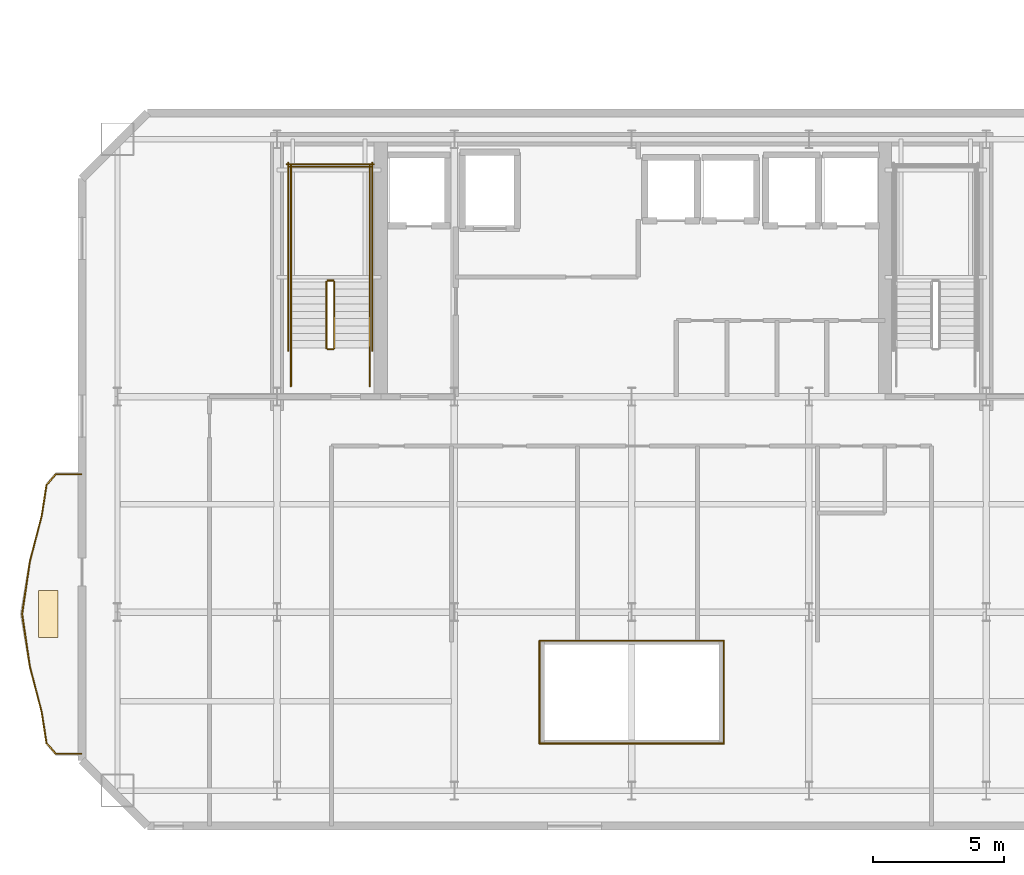
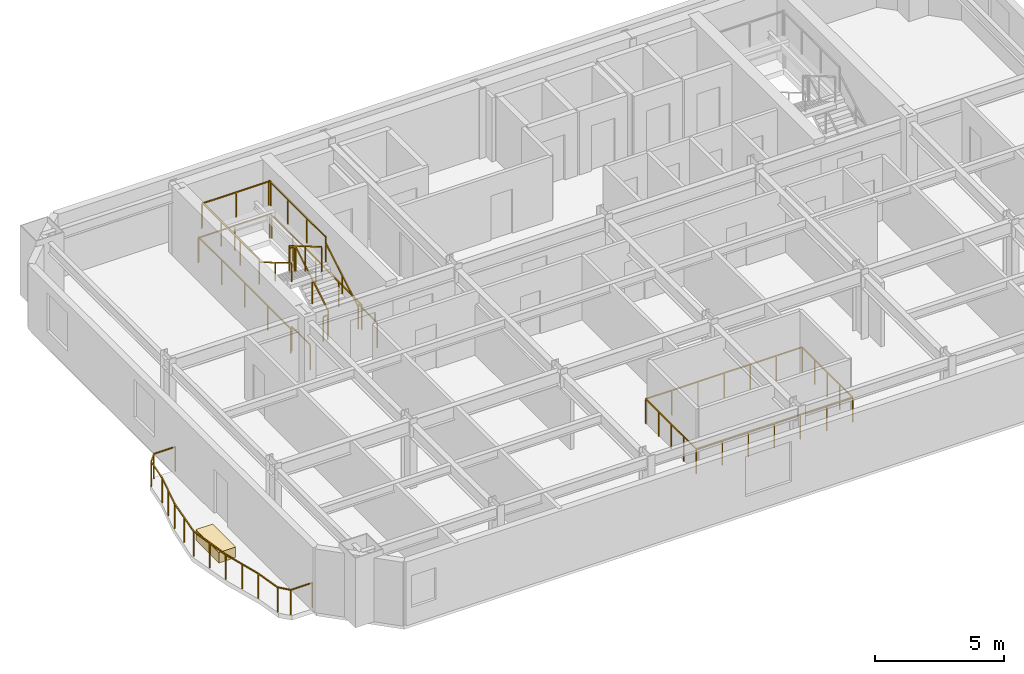
# One storey, part 10 of 14: 28 railings, 1 covering.
"""IFC4 building model written with IfcOpenShell, lengths in metres."""

from ifc_helpers import new_model, si_unit, direction, frame, origin, origin_2d, place, context, subcontext, project, spatial, rectangle, extrude, material, layer, layer_set, type_object, element, save


model = new_model("IFC4")

# Units and contexts
model_context = context("Model", 3, precision=1e-05, world=origin(), true_north=direction((0.0, 1.0)))
body_context = subcontext(model_context, "Body", "Model", "MODEL_VIEW")
ifc_project = project(units=[si_unit("LENGTHUNIT", "METRE"), si_unit("AREAUNIT", "SQUARE_METRE"), si_unit("VOLUMEUNIT", "CUBIC_METRE"), si_unit("PLANEANGLEUNIT", "RADIAN"), si_unit("MASSUNIT", "GRAM", prefix="KILO")], contexts=[model_context])

# Site, building, storey
site_placement = place(None, origin())
site = spatial("IfcSite", under=ifc_project, at=site_placement, CompositionType="ELEMENT")
building_placement = place(site_placement, origin())
building = spatial("IfcBuilding", under=site, at=building_placement, Name="Haevon Station Towers", CompositionType="ELEMENT")
storey_placement = place(building_placement, frame((0.0, 0.0, 169.199951171875)))
storey = spatial("IfcBuildingStorey", under=building, at=storey_placement, Name="L46", CompositionType="ELEMENT", Elevation=169.199951171875)

# Railings
ifc_material_1 = material(Name="Steel S355", Category="steel")
railing_type_1 = type_object("IfcRailingType", Name="BAL-ATR1200", PredefinedType="BALUSTRADE", material=ifc_material_1)
railing_1_placement = place(storey_placement, frame((33.995361328125, 24.991455078125, 0.0)))
element("IfcRailing", 1, at=railing_1_placement, inside=storey, type_object=railing_type_1, Name="L46 Atrium Void Balustrade 1", PredefinedType="BALUSTRADE", context=body_context, shape_type="SweptSolid", body=[
    extrude(rectangle(XDim=0.048095703125, YDim=0.048095703125, at=origin_2d()), frame((0.0, 0.0, 1.17578125), z_axis=(1.0, 0.0, 0.0), x_axis=(0.0, 1.0, 0.0)), (0.0, 0.0, 1.0), 7.00927734375),
    extrude(rectangle(XDim=0.0419921875, YDim=0.0419921875, at=origin_2d()), origin(), (0.0, 0.0, 1.0), 1.15185546875),
    extrude(rectangle(XDim=0.0419921875, YDim=0.0419921875, at=origin_2d()), frame((1.168212890625, 0.0, 0.0)), (0.0, 0.0, 1.0), 1.15185546875),
    extrude(rectangle(XDim=0.0419921875, YDim=0.0419921875, at=origin_2d()), frame((2.33642578125, 0.0, 0.0)), (0.0, 0.0, 1.0), 1.15185546875),
    extrude(rectangle(XDim=0.0419921875, YDim=0.0419921875, at=origin_2d()), frame((3.504638671875, 0.0, 0.0)), (0.0, 0.0, 1.0), 1.15185546875),
    extrude(rectangle(XDim=0.0419921875, YDim=0.0419921875, at=origin_2d()), frame((4.6728515625, 0.0, 0.0)), (0.0, 0.0, 1.0), 1.15185546875),
    extrude(rectangle(XDim=0.0419921875, YDim=0.0419921875, at=origin_2d()), frame((5.841064453125, 0.0, 0.0)), (0.0, 0.0, 1.0), 1.15185546875),
    extrude(rectangle(XDim=0.0419921875, YDim=0.0419921875, at=origin_2d()), frame((7.00927734375, 0.0, 0.0)), (0.0, 0.0, 1.0), 1.15185546875),
])
railing_2_placement = place(storey_placement, frame((41.004638671875, 24.991455078125, 0.0)))
element("IfcRailing", 2, at=railing_2_placement, inside=storey, type_object=railing_type_1, Name="L46 Atrium Void Balustrade 2", PredefinedType="BALUSTRADE", context=body_context, shape_type="SweptSolid", body=[
    extrude(rectangle(XDim=0.048095703125, YDim=0.048095703125, at=origin_2d()), frame((0.0, 0.0, 1.17578125), z_axis=(0.0, 1.0, 0.0), x_axis=(-1.0, 0.0, 0.0)), (0.0, 0.0, 1.0), 3.9169921875),
    extrude(rectangle(XDim=0.0419921875, YDim=0.0419921875, at=origin_2d()), origin(), (0.0, 0.0, 1.0), 1.15185546875),
    extrude(rectangle(XDim=0.0419921875, YDim=0.0419921875, at=origin_2d()), frame((0.0, 0.979248046875, 0.0)), (0.0, 0.0, 1.0), 1.15185546875),
    extrude(rectangle(XDim=0.0419921875, YDim=0.0419921875, at=origin_2d()), frame((0.0, 1.95849609375, 0.0)), (0.0, 0.0, 1.0), 1.15185546875),
    extrude(rectangle(XDim=0.0419921875, YDim=0.0419921875, at=origin_2d()), frame((0.0, 2.937744140625, 0.0)), (0.0, 0.0, 1.0), 1.15185546875),
    extrude(rectangle(XDim=0.0419921875, YDim=0.0419921875, at=origin_2d()), frame((0.0, 3.9169921875, 0.0)), (0.0, 0.0, 1.0), 1.15185546875),
])
railing_3_placement = place(storey_placement, frame((41.004638671875, 28.908447265625, 0.0)))
element("IfcRailing", 3, at=railing_3_placement, inside=storey, type_object=railing_type_1, Name="L46 Atrium Void Balustrade 3", PredefinedType="BALUSTRADE", context=body_context, shape_type="SweptSolid", body=[
    extrude(rectangle(XDim=0.048095703125, YDim=0.048095703125, at=origin_2d()), frame((0.0, 0.0, 1.17578125), z_axis=(-1.0, 0.0, 0.0), x_axis=(0.0, -1.0, 0.0)), (0.0, 0.0, 1.0), 7.00927734375),
    extrude(rectangle(XDim=0.0419921875, YDim=0.0419921875, at=origin_2d()), origin(), (0.0, 0.0, 1.0), 1.15185546875),
    extrude(rectangle(XDim=0.0419921875, YDim=0.0419921875, at=origin_2d()), frame((-1.168212890625, 0.0, 0.0)), (0.0, 0.0, 1.0), 1.15185546875),
    extrude(rectangle(XDim=0.0419921875, YDim=0.0419921875, at=origin_2d()), frame((-2.33642578125, 0.0, 0.0)), (0.0, 0.0, 1.0), 1.15185546875),
    extrude(rectangle(XDim=0.0419921875, YDim=0.0419921875, at=origin_2d()), frame((-3.504638671875, 0.0, 0.0)), (0.0, 0.0, 1.0), 1.15185546875),
    extrude(rectangle(XDim=0.0419921875, YDim=0.0419921875, at=origin_2d()), frame((-4.6728515625, 0.0, 0.0)), (0.0, 0.0, 1.0), 1.15185546875),
    extrude(rectangle(XDim=0.0419921875, YDim=0.0419921875, at=origin_2d()), frame((-5.841064453125, 0.0, 0.0)), (0.0, 0.0, 1.0), 1.15185546875),
    extrude(rectangle(XDim=0.0419921875, YDim=0.0419921875, at=origin_2d()), frame((-7.00927734375, 0.0, 0.0)), (0.0, 0.0, 1.0), 1.15185546875),
])
railing_4_placement = place(storey_placement, frame((33.995361328125, 28.908447265625, 0.0)))
element("IfcRailing", 4, at=railing_4_placement, inside=storey, type_object=railing_type_1, Name="L46 Atrium Void Balustrade 4", PredefinedType="BALUSTRADE", context=body_context, shape_type="SweptSolid", body=[
    extrude(rectangle(XDim=0.048095703125, YDim=0.048095703125, at=origin_2d()), frame((0.0, 0.0, 1.17578125), z_axis=(0.0, -1.0, 0.0), x_axis=(1.0, 0.0, 0.0)), (0.0, 0.0, 1.0), 3.9169921875),
    extrude(rectangle(XDim=0.0419921875, YDim=0.0419921875, at=origin_2d()), origin(), (0.0, 0.0, 1.0), 1.15185546875),
    extrude(rectangle(XDim=0.0419921875, YDim=0.0419921875, at=origin_2d()), frame((0.0, -0.979248046875, 0.0)), (0.0, 0.0, 1.0), 1.15185546875),
    extrude(rectangle(XDim=0.0419921875, YDim=0.0419921875, at=origin_2d()), frame((0.0, -1.95849609375, 0.0)), (0.0, 0.0, 1.0), 1.15185546875),
    extrude(rectangle(XDim=0.0419921875, YDim=0.0419921875, at=origin_2d()), frame((0.0, -2.937744140625, 0.0)), (0.0, 0.0, 1.0), 1.15185546875),
    extrude(rectangle(XDim=0.0419921875, YDim=0.0419921875, at=origin_2d()), frame((0.0, -3.9169921875, 0.0)), (0.0, 0.0, 1.0), 1.15185546875),
])
railing_type_2 = type_object("IfcRailingType", Name="GRD-EXT1200", PredefinedType="GUARDRAIL", material=ifc_material_1)
railing_5_placement = place(storey_placement, frame((16.551513671875, 35.2470703125, 0.0)))
element("IfcRailing", 5, at=railing_5_placement, inside=storey, type_object=railing_type_2, Name="L46 Perimeter Guardrail 1", PredefinedType="GUARDRAIL", context=body_context, shape_type="SweptSolid", body=[
    extrude(rectangle(XDim=0.048095703125, YDim=0.048095703125, at=origin_2d()), frame((0.0, 0.0, 1.17578125), z_axis=(-0.999997990976, -0.002004506121, 0.0), x_axis=(0.002004506121, -0.999997990976, 0.0)), (0.0, 0.0, 1.0), 0.974365234375),
    extrude(rectangle(XDim=0.0419921875, YDim=0.0419921875, at=origin_2d()), origin(), (0.0, 0.0, 1.0), 1.15185546875),
    extrude(rectangle(XDim=0.0419921875, YDim=0.0419921875, at=origin_2d()), frame((-0.974365234375, -0.001953125, 0.0)), (0.0, 0.0, 1.0), 1.15185546875),
])
railing_6_placement = place(storey_placement, frame((15.5771484375, 35.2451171875, 0.0)))
element("IfcRailing", 6, at=railing_6_placement, inside=storey, type_object=railing_type_2, Name="L46 Perimeter Guardrail 2", PredefinedType="GUARDRAIL", context=body_context, shape_type="SweptSolid", body=[
    extrude(rectangle(XDim=0.048095703125, YDim=0.048095703125, at=origin_2d()), frame((0.0, 0.0, 1.17578125), z_axis=(-0.65275272143, -0.757571042652, 0.0), x_axis=(0.757571042652, -0.65275272143, 0.0)), (0.0, 0.0, 1.0), 0.542724609375),
    extrude(rectangle(XDim=0.0419921875, YDim=0.0419921875, at=origin_2d()), origin(), (0.0, 0.0, 1.0), 1.15185546875),
    extrude(rectangle(XDim=0.0419921875, YDim=0.0419921875, at=origin_2d()), frame((-0.354248046875, -0.4111328125, 0.0)), (0.0, 0.0, 1.0), 1.15185546875),
])
railing_7_placement = place(storey_placement, frame((15.222900390625, 34.833984375, 0.0)))
element("IfcRailing", 7, at=railing_7_placement, inside=storey, type_object=railing_type_2, Name="L46 Perimeter Guardrail 3", PredefinedType="GUARDRAIL", context=body_context, shape_type="SweptSolid", body=[
    extrude(rectangle(XDim=0.048095703125, YDim=0.048095703125, at=origin_2d()), frame((0.0, 0.0, 1.17578125), z_axis=(-0.152150136811, -0.988357392783, 0.0), x_axis=(0.988357392783, -0.152150136811, 0.0)), (0.0, 0.0, 1.0), 1.18408203125),
    extrude(rectangle(XDim=0.0419921875, YDim=0.0419921875, at=origin_2d()), origin(), (0.0, 0.0, 1.0), 1.15185546875),
    extrude(rectangle(XDim=0.0419921875, YDim=0.0419921875, at=origin_2d()), frame((-0.18017578125, -1.17041015625, 0.0)), (0.0, 0.0, 1.0), 1.15185546875),
])
railing_8_placement = place(storey_placement, frame((15.042724609375, 33.66357421875, 0.0)))
element("IfcRailing", 8, at=railing_8_placement, inside=storey, type_object=railing_type_2, Name="L46 Perimeter Guardrail 4", PredefinedType="GUARDRAIL", context=body_context, shape_type="SweptSolid", body=[
    extrude(rectangle(XDim=0.048095703125, YDim=0.048095703125, at=origin_2d()), frame((0.0, 0.0, 1.17578125), z_axis=(-0.251243717218, -0.967923857831, 0.0), x_axis=(0.967923857831, -0.251243717218, 0.0)), (0.0, 0.0, 1.0), 1.805419921875),
    extrude(rectangle(XDim=0.0419921875, YDim=0.0419921875, at=origin_2d()), origin(), (0.0, 0.0, 1.0), 1.15185546875),
    extrude(rectangle(XDim=0.0419921875, YDim=0.0419921875, at=origin_2d()), frame((-0.226806640625, -0.873779296875, 0.0)), (0.0, 0.0, 1.0), 1.15185546875),
    extrude(rectangle(XDim=0.0419921875, YDim=0.0419921875, at=origin_2d()), frame((-0.45361328125, -1.74755859375, 0.0)), (0.0, 0.0, 1.0), 1.15185546875),
])
railing_9_placement = place(storey_placement, frame((14.589111328125, 31.916015625, 0.0)))
element("IfcRailing", 9, at=railing_9_placement, inside=storey, type_object=railing_type_2, Name="L46 Perimeter Guardrail 5", PredefinedType="GUARDRAIL", context=body_context, shape_type="SweptSolid", body=[
    extrude(rectangle(XDim=0.048095703125, YDim=0.048095703125, at=origin_2d()), frame((0.0, 0.0, 1.17578125), z_axis=(-0.14558130584, -0.989346290937, 0.0), x_axis=(0.989346290937, -0.14558130584, 0.0)), (0.0, 0.0, 1.0), 2.012451171875),
    extrude(rectangle(XDim=0.0419921875, YDim=0.0419921875, at=origin_2d()), origin(), (0.0, 0.0, 1.0), 1.15185546875),
    extrude(rectangle(XDim=0.0419921875, YDim=0.0419921875, at=origin_2d()), frame((-0.146484375, -0.99560546875, 0.0)), (0.0, 0.0, 1.0), 1.15185546875),
    extrude(rectangle(XDim=0.0419921875, YDim=0.0419921875, at=origin_2d()), frame((-0.29296875, -1.990966796875, 0.0)), (0.0, 0.0, 1.0), 1.15185546875),
])
railing_10_placement = place(storey_placement, frame((14.296142578125, 29.925048828125, 0.0)))
element("IfcRailing", 10, at=railing_10_placement, inside=storey, type_object=railing_type_2, Name="L46 Perimeter Guardrail 6", PredefinedType="GUARDRAIL", context=body_context, shape_type="SweptSolid", body=[
    extrude(rectangle(XDim=0.048095703125, YDim=0.048095703125, at=origin_2d()), frame((0.0, 0.0, 1.17578125), z_axis=(0.14558130584, -0.989346290937, 0.0), x_axis=(0.989346290937, 0.14558130584, 0.0)), (0.0, 0.0, 1.0), 2.012451171875),
    extrude(rectangle(XDim=0.0419921875, YDim=0.0419921875, at=origin_2d()), origin(), (0.0, 0.0, 1.0), 1.15185546875),
    extrude(rectangle(XDim=0.0419921875, YDim=0.0419921875, at=origin_2d()), frame((0.146484375, -0.99560546875, 0.0)), (0.0, 0.0, 1.0), 1.15185546875),
    extrude(rectangle(XDim=0.0419921875, YDim=0.0419921875, at=origin_2d()), frame((0.29296875, -1.990966796875, 0.0)), (0.0, 0.0, 1.0), 1.15185546875),
])
railing_11_placement = place(storey_placement, frame((14.589111328125, 27.93408203125, 0.0)))
element("IfcRailing", 11, at=railing_11_placement, inside=storey, type_object=railing_type_2, Name="L46 Perimeter Guardrail 7", PredefinedType="GUARDRAIL", context=body_context, shape_type="SweptSolid", body=[
    extrude(rectangle(XDim=0.048095703125, YDim=0.048095703125, at=origin_2d()), frame((0.0, 0.0, 1.17578125), z_axis=(0.251243717218, -0.967923857831, 0.0), x_axis=(0.967923857831, 0.251243717218, 0.0)), (0.0, 0.0, 1.0), 1.805419921875),
    extrude(rectangle(XDim=0.0419921875, YDim=0.0419921875, at=origin_2d()), origin(), (0.0, 0.0, 1.0), 1.15185546875),
    extrude(rectangle(XDim=0.0419921875, YDim=0.0419921875, at=origin_2d()), frame((0.226806640625, -0.873779296875, 0.0)), (0.0, 0.0, 1.0), 1.15185546875),
    extrude(rectangle(XDim=0.0419921875, YDim=0.0419921875, at=origin_2d()), frame((0.45361328125, -1.74755859375, 0.0)), (0.0, 0.0, 1.0), 1.15185546875),
])
railing_12_placement = place(storey_placement, frame((15.042724609375, 26.1865234375, 0.0)))
element("IfcRailing", 12, at=railing_12_placement, inside=storey, type_object=railing_type_2, Name="L46 Perimeter Guardrail 8", PredefinedType="GUARDRAIL", context=body_context, shape_type="SweptSolid", body=[
    extrude(rectangle(XDim=0.048095703125, YDim=0.048095703125, at=origin_2d()), frame((0.0, 0.0, 1.17578125), z_axis=(0.152150136811, -0.988357392783, 0.0), x_axis=(0.988357392783, 0.152150136811, 0.0)), (0.0, 0.0, 1.0), 1.18408203125),
    extrude(rectangle(XDim=0.0419921875, YDim=0.0419921875, at=origin_2d()), origin(), (0.0, 0.0, 1.0), 1.15185546875),
    extrude(rectangle(XDim=0.0419921875, YDim=0.0419921875, at=origin_2d()), frame((0.18017578125, -1.17041015625, 0.0)), (0.0, 0.0, 1.0), 1.15185546875),
])
railing_13_placement = place(storey_placement, frame((15.222900390625, 25.01611328125, 0.0)))
element("IfcRailing", 13, at=railing_13_placement, inside=storey, type_object=railing_type_2, Name="L46 Perimeter Guardrail 9", PredefinedType="GUARDRAIL", context=body_context, shape_type="SweptSolid", body=[
    extrude(rectangle(XDim=0.048095703125, YDim=0.048095703125, at=origin_2d()), frame((0.0, 0.0, 1.17578125), z_axis=(0.65275272143, -0.757571042652, 0.0), x_axis=(0.757571042652, 0.65275272143, 0.0)), (0.0, 0.0, 1.0), 0.542724609375),
    extrude(rectangle(XDim=0.0419921875, YDim=0.0419921875, at=origin_2d()), origin(), (0.0, 0.0, 1.0), 1.15185546875),
    extrude(rectangle(XDim=0.0419921875, YDim=0.0419921875, at=origin_2d()), frame((0.354248046875, -0.4111328125, 0.0)), (0.0, 0.0, 1.0), 1.15185546875),
])
railing_14_placement = place(storey_placement, frame((15.5771484375, 24.60498046875, 0.0)))
element("IfcRailing", 14, at=railing_14_placement, inside=storey, type_object=railing_type_2, Name="L46 Perimeter Guardrail 10", PredefinedType="GUARDRAIL", context=body_context, shape_type="SweptSolid", body=[
    extrude(rectangle(XDim=0.048095703125, YDim=0.048095703125, at=origin_2d()), frame((0.0, 0.0, 1.17578125), z_axis=(0.999997457331, -0.002255068182, 0.0), x_axis=(0.002255068182, 0.999997457331, 0.0)), (0.0, 0.0, 1.0), 0.974365234375),
    extrude(rectangle(XDim=0.0419921875, YDim=0.0419921875, at=origin_2d()), origin(), (0.0, 0.0, 1.0), 1.15185546875),
    extrude(rectangle(XDim=0.0419921875, YDim=0.0419921875, at=origin_2d()), frame((0.974365234375, -0.002197265625, 0.0)), (0.0, 0.0, 1.0), 1.15185546875),
])
railing_type_3 = type_object("IfcRailingType", Name="GRD-STR1200", PredefinedType="GUARDRAIL", material=ifc_material_1)
railing_15_placement = place(storey_placement, frame((26.179931640625, 40.050048828125, 0.1650390625)))
element("IfcRailing", 15, at=railing_15_placement, inside=storey, type_object=railing_type_3, Name="L46 ST1 Stair Guard 1", PredefinedType="GUARDRAIL", context=body_context, shape_type="SweptSolid", body=[
    extrude(rectangle(XDim=0.048095703125, YDim=0.048095703125, at=origin_2d()), frame((0.0, 0.0, 1.17578125), z_axis=(0.0, 0.86152411907, 0.507716645641), x_axis=(-1.0, 0.0, 0.0)), (0.0, 0.0, 1.0), 2.925048828125),
    extrude(rectangle(XDim=0.0419921875, YDim=0.0419921875, at=origin_2d()), origin(), (0.0, 0.0, 1.0), 1.15185546875),
    extrude(rectangle(XDim=0.0419921875, YDim=0.0419921875, at=origin_2d()), frame((0.0, 1.260009765625, 0.74267578125)), (0.0, 0.0, 1.0), 1.15185546875),
    extrude(rectangle(XDim=0.0419921875, YDim=0.0419921875, at=origin_2d()), frame((0.0, 2.52001953125, 1.485107421875)), (0.0, 0.0, 1.0), 1.15185546875),
])
railing_16_placement = place(storey_placement, frame((26.1298828125, 42.6201171875, 1.650146484375)))
element("IfcRailing", 16, at=railing_16_placement, inside=storey, type_object=railing_type_3, Name="L46 ST1 Stair Guard 2", PredefinedType="GUARDRAIL", context=body_context, shape_type="SweptSolid", body=[
    extrude(rectangle(XDim=0.048095703125, YDim=0.048095703125, at=origin_2d()), frame((0.0, 0.0, 1.17578125), z_axis=(-1.0, 0.0, 0.0), x_axis=(0.0, -1.0, 0.0)), (0.0, 0.0, 1.0), 0.199951171875),
    extrude(rectangle(XDim=0.0419921875, YDim=0.0419921875, at=origin_2d()), origin(), (0.0, 0.0, 1.0), 1.15185546875),
    extrude(rectangle(XDim=0.0419921875, YDim=0.0419921875, at=origin_2d()), frame((-0.199951171875, 0.0, 0.0)), (0.0, 0.0, 1.0), 1.15185546875),
])
for number, where, name in (
    (17, (27.530029296875, 42.570068359375, 1.650146484375), "L46 ST1 Stair Guard 3"),
    (18, (24.530029296875, 42.570068359375, 1.650146484375), "L46 ST1 Stair Guard 4"),
):
    element("IfcRailing", number, at=place(storey_placement, frame(where)), inside=storey, type_object=railing_type_3, Name=name, PredefinedType="GUARDRAIL", context=body_context, shape_type="SweptSolid", body=[
        extrude(rectangle(XDim=0.048095703125, YDim=0.048095703125, at=origin_2d()), frame((0.0, 0.0, 1.17578125), z_axis=(0.0, 1.0, 0.0), x_axis=(-1.0, 0.0, 0.0)), (0.0, 0.0, 1.0), 4.429931640625),
        extrude(rectangle(XDim=0.0419921875, YDim=0.0419921875, at=origin_2d()), origin(), (0.0, 0.0, 1.0), 1.15185546875),
        extrude(rectangle(XDim=0.0419921875, YDim=0.0419921875, at=origin_2d()), frame((0.0, 1.4765625, 0.0)), (0.0, 0.0, 1.0), 1.15185546875),
        extrude(rectangle(XDim=0.0419921875, YDim=0.0419921875, at=origin_2d()), frame((0.0, 2.953369140625, 0.0)), (0.0, 0.0, 1.0), 1.15185546875),
        extrude(rectangle(XDim=0.0419921875, YDim=0.0419921875, at=origin_2d()), frame((0.0, 4.429931640625, 0.0)), (0.0, 0.0, 1.0), 1.15185546875),
    ])
railing_17_placement = place(storey_placement, frame((27.580078125, 46.949951171875, 1.650146484375)))
element("IfcRailing", 19, at=railing_17_placement, inside=storey, type_object=railing_type_3, Name="L46 ST1 Stair Guard 5", PredefinedType="GUARDRAIL", context=body_context, shape_type="SweptSolid", body=[
    extrude(rectangle(XDim=0.048095703125, YDim=0.048095703125, at=origin_2d()), frame((0.0, 0.0, 1.17578125), z_axis=(-1.0, 0.0, 0.0), x_axis=(0.0, -1.0, 0.0)), (0.0, 0.0, 1.0), 3.10009765625),
    extrude(rectangle(XDim=0.0419921875, YDim=0.0419921875, at=origin_2d()), origin(), (0.0, 0.0, 1.0), 1.15185546875),
    extrude(rectangle(XDim=0.0419921875, YDim=0.0419921875, at=origin_2d()), frame((-1.550048828125, 0.0, 0.0)), (0.0, 0.0, 1.0), 1.15185546875),
    extrude(rectangle(XDim=0.0419921875, YDim=0.0419921875, at=origin_2d()), frame((-3.10009765625, 0.0, 0.0)), (0.0, 0.0, 1.0), 1.15185546875),
])
railing_18_placement = place(storey_placement, frame((25.8798828125, 42.570068359375, 1.81494140625)))
element("IfcRailing", 20, at=railing_18_placement, inside=storey, type_object=railing_type_3, Name="L46 ST1 Stair Guard 6", PredefinedType="GUARDRAIL", context=body_context, shape_type="SweptSolid", body=[
    extrude(rectangle(XDim=0.048095703125, YDim=0.048095703125, at=origin_2d()), frame((0.0, 0.0, 1.17578125), z_axis=(0.0, -0.86152411907, 0.507716645641), x_axis=(1.0, 0.0, 0.0)), (0.0, 0.0, 1.0), 2.925048828125),
    extrude(rectangle(XDim=0.0419921875, YDim=0.0419921875, at=origin_2d()), origin(), (0.0, 0.0, 1.0), 1.15185546875),
    extrude(rectangle(XDim=0.0419921875, YDim=0.0419921875, at=origin_2d()), frame((0.0, -1.260009765625, 0.74267578125)), (0.0, 0.0, 1.0), 1.15185546875),
    extrude(rectangle(XDim=0.0419921875, YDim=0.0419921875, at=origin_2d()), frame((0.0, -2.52001953125, 1.485107421875)), (0.0, 0.0, 1.0), 1.15185546875),
])
railing_19_placement = place(storey_placement, frame((26.1298828125, 40.0, 0.0)))
element("IfcRailing", 21, at=railing_19_placement, inside=storey, type_object=railing_type_3, Name="L46 ST1 Stair Guard 7", PredefinedType="GUARDRAIL", context=body_context, shape_type="SweptSolid", body=[
    extrude(rectangle(XDim=0.048095703125, YDim=0.048095703125, at=origin_2d()), frame((0.0, 0.0, 1.17578125), z_axis=(-1.0, 0.0, 0.0), x_axis=(0.0, -1.0, 0.0)), (0.0, 0.0, 1.0), 0.199951171875),
    extrude(rectangle(XDim=0.0419921875, YDim=0.0419921875, at=origin_2d()), origin(), (0.0, 0.0, 1.0), 1.15185546875),
    extrude(rectangle(XDim=0.0419921875, YDim=0.0419921875, at=origin_2d()), frame((-0.199951171875, 0.0, 0.0)), (0.0, 0.0, 1.0), 1.15185546875),
])
for number, where, name in (
    (22, (27.530029296875, 38.60009765625, 0.0), "L46 ST1 Stair Guard 8"),
    (23, (24.530029296875, 38.60009765625, 0.0), "L46 ST1 Stair Guard 9"),
):
    element("IfcRailing", number, at=place(storey_placement, frame(where)), inside=storey, type_object=railing_type_3, Name=name, PredefinedType="GUARDRAIL", context=body_context, shape_type="SweptSolid", body=[
        extrude(rectangle(XDim=0.048095703125, YDim=0.048095703125, at=origin_2d()), frame((0.0, 0.0, 1.17578125), z_axis=(0.0, 1.0, 0.0), x_axis=(-1.0, 0.0, 0.0)), (0.0, 0.0, 1.0), 1.449951171875),
        extrude(rectangle(XDim=0.0419921875, YDim=0.0419921875, at=origin_2d()), origin(), (0.0, 0.0, 1.0), 1.15185546875),
        extrude(rectangle(XDim=0.0419921875, YDim=0.0419921875, at=origin_2d()), frame((0.0, 1.449951171875, 0.0)), (0.0, 0.0, 1.0), 1.15185546875),
    ])
for number, where, name in (
    (24, (27.6298828125, 39.949951171875, 0.0), "L46 ST1 Stair Guard 10"),
    (25, (24.429931640625, 39.949951171875, 0.0), "L46 ST1 Stair Guard 11"),
):
    element("IfcRailing", number, at=place(storey_placement, frame(where)), inside=storey, type_object=railing_type_3, Name=name, PredefinedType="GUARDRAIL", context=body_context, shape_type="SweptSolid", body=[
        extrude(rectangle(XDim=0.048095703125, YDim=0.048095703125, at=origin_2d()), frame((0.0, 0.0, 1.17578125), z_axis=(0.0, 1.0, 0.0), x_axis=(-1.0, 0.0, 0.0)), (0.0, 0.0, 1.0), 7.150146484375),
        extrude(rectangle(XDim=0.0419921875, YDim=0.0419921875, at=origin_2d()), origin(), (0.0, 0.0, 1.0), 1.15185546875),
        extrude(rectangle(XDim=0.0419921875, YDim=0.0419921875, at=origin_2d()), frame((0.0, 1.78759765625, 0.0)), (0.0, 0.0, 1.0), 1.15185546875),
        extrude(rectangle(XDim=0.0419921875, YDim=0.0419921875, at=origin_2d()), frame((0.0, 3.5751953125, 0.0)), (0.0, 0.0, 1.0), 1.15185546875),
        extrude(rectangle(XDim=0.0419921875, YDim=0.0419921875, at=origin_2d()), frame((0.0, 5.362548828125, 0.0)), (0.0, 0.0, 1.0), 1.15185546875),
        extrude(rectangle(XDim=0.0419921875, YDim=0.0419921875, at=origin_2d()), frame((0.0, 7.150146484375, 0.0)), (0.0, 0.0, 1.0), 1.15185546875),
    ])
railing_20_placement = place(storey_placement, frame((27.679931640625, 47.050048828125, 0.0)))
element("IfcRailing", 26, at=railing_20_placement, inside=storey, type_object=railing_type_3, Name="L46 ST1 Stair Guard 12", PredefinedType="GUARDRAIL", context=body_context, shape_type="SweptSolid", body=[
    extrude(rectangle(XDim=0.048095703125, YDim=0.048095703125, at=origin_2d()), frame((0.0, 0.0, 1.17578125), z_axis=(-1.0, 0.0, 0.0), x_axis=(0.0, -1.0, 0.0)), (0.0, 0.0, 1.0), 3.300048828125),
    extrude(rectangle(XDim=0.0419921875, YDim=0.0419921875, at=origin_2d()), origin(), (0.0, 0.0, 1.0), 1.15185546875),
    extrude(rectangle(XDim=0.0419921875, YDim=0.0419921875, at=origin_2d()), frame((-1.64990234375, 0.0, 0.0)), (0.0, 0.0, 1.0), 1.15185546875),
    extrude(rectangle(XDim=0.0419921875, YDim=0.0419921875, at=origin_2d()), frame((-3.300048828125, 0.0, 0.0)), (0.0, 0.0, 1.0), 1.15185546875),
])
railing_type_4 = type_object("IfcRailingType", Name="HND-STR900", PredefinedType="HANDRAIL", material=ifc_material_1)
railing_21_placement = place(storey_placement, frame((27.530029296875, 40.050048828125, 0.1650390625)))
element("IfcRailing", 27, at=railing_21_placement, inside=storey, type_object=railing_type_4, Name="L46 ST1 Stair Handrail 1", PredefinedType="HANDRAIL", context=body_context, shape_type="SweptSolid", body=[
    extrude(rectangle(XDim=0.048095703125, YDim=0.048095703125, at=origin_2d()), frame((0.0, 0.0, 0.8759765625), z_axis=(0.0, 0.86152411907, 0.507716645641), x_axis=(-1.0, 0.0, 0.0)), (0.0, 0.0, 1.0), 2.925048828125),
    extrude(rectangle(XDim=0.0419921875, YDim=0.0419921875, at=origin_2d()), origin(), (0.0, 0.0, 1.0), 0.851806640625),
    extrude(rectangle(XDim=0.0419921875, YDim=0.0419921875, at=origin_2d()), frame((0.0, 1.260009765625, 0.74267578125)), (0.0, 0.0, 1.0), 0.851806640625),
    extrude(rectangle(XDim=0.0419921875, YDim=0.0419921875, at=origin_2d()), frame((0.0, 2.52001953125, 1.485107421875)), (0.0, 0.0, 1.0), 0.851806640625),
])
railing_22_placement = place(storey_placement, frame((24.530029296875, 42.570068359375, 1.81494140625)))
element("IfcRailing", 28, at=railing_22_placement, inside=storey, type_object=railing_type_4, Name="L46 ST1 Stair Handrail 2", PredefinedType="HANDRAIL", context=body_context, shape_type="SweptSolid", body=[
    extrude(rectangle(XDim=0.048095703125, YDim=0.048095703125, at=origin_2d()), frame((0.0, 0.0, 0.8759765625), z_axis=(0.0, -0.86152411907, 0.507716645641), x_axis=(1.0, 0.0, 0.0)), (0.0, 0.0, 1.0), 2.925048828125),
    extrude(rectangle(XDim=0.0419921875, YDim=0.0419921875, at=origin_2d()), origin(), (0.0, 0.0, 1.0), 0.851806640625),
    extrude(rectangle(XDim=0.0419921875, YDim=0.0419921875, at=origin_2d()), frame((0.0, -1.260009765625, 0.74267578125)), (0.0, 0.0, 1.0), 0.851806640625),
    extrude(rectangle(XDim=0.0419921875, YDim=0.0419921875, at=origin_2d()), frame((0.0, -2.52001953125, 1.485107421875)), (0.0, 0.0, 1.0), 0.851806640625),
])

# Covering
ifc_material_2 = material(Name="Architectural planter GRC", Category="concrete")
ifc_layer = layer(ifc_material_2, 0.550048828125)
ifc_layer_set = layer_set([ifc_layer], Name="Architectural planter GRC")
covering_type = type_object("IfcCoveringType", Name="PLN-GRC550", PredefinedType="MOLDING", material=ifc_layer_set)
covering_placement = place(storey_placement, frame((15.28759765625, 29.925048828125, 0.0), z_axis=(0.0, 0.0, 1.0), x_axis=(1.0, 0.0, 0.0)))
element("IfcCovering", 29, at=covering_placement, inside=storey, type_object=covering_type, Name="Tower 1 L46 Scalloped Balcony PLANTER", PredefinedType="MOLDING", context=body_context, shape_type="SweptSolid", body=[
    extrude(rectangle(XDim=0.75, YDim=1.800048828125, at=origin_2d()), origin(), (0.0, 0.0, 1.0), 0.5),
])

save(model, "model.ifc")
